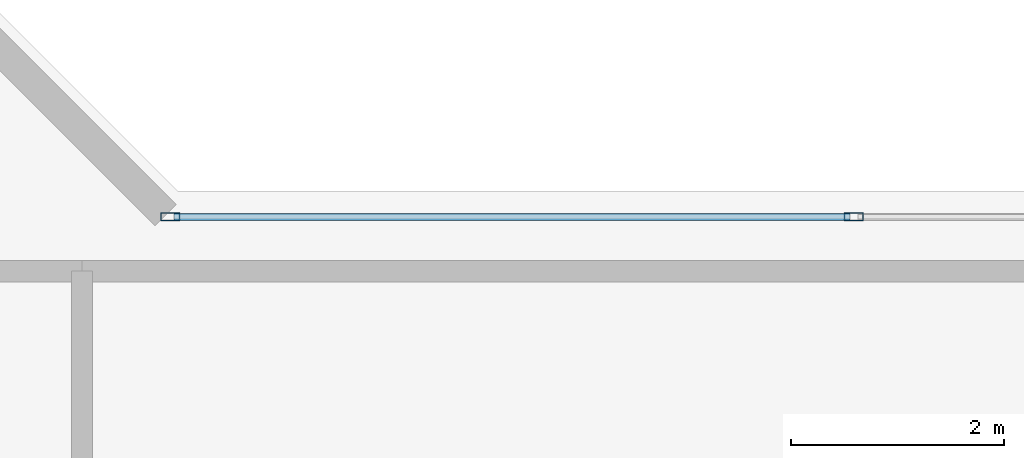
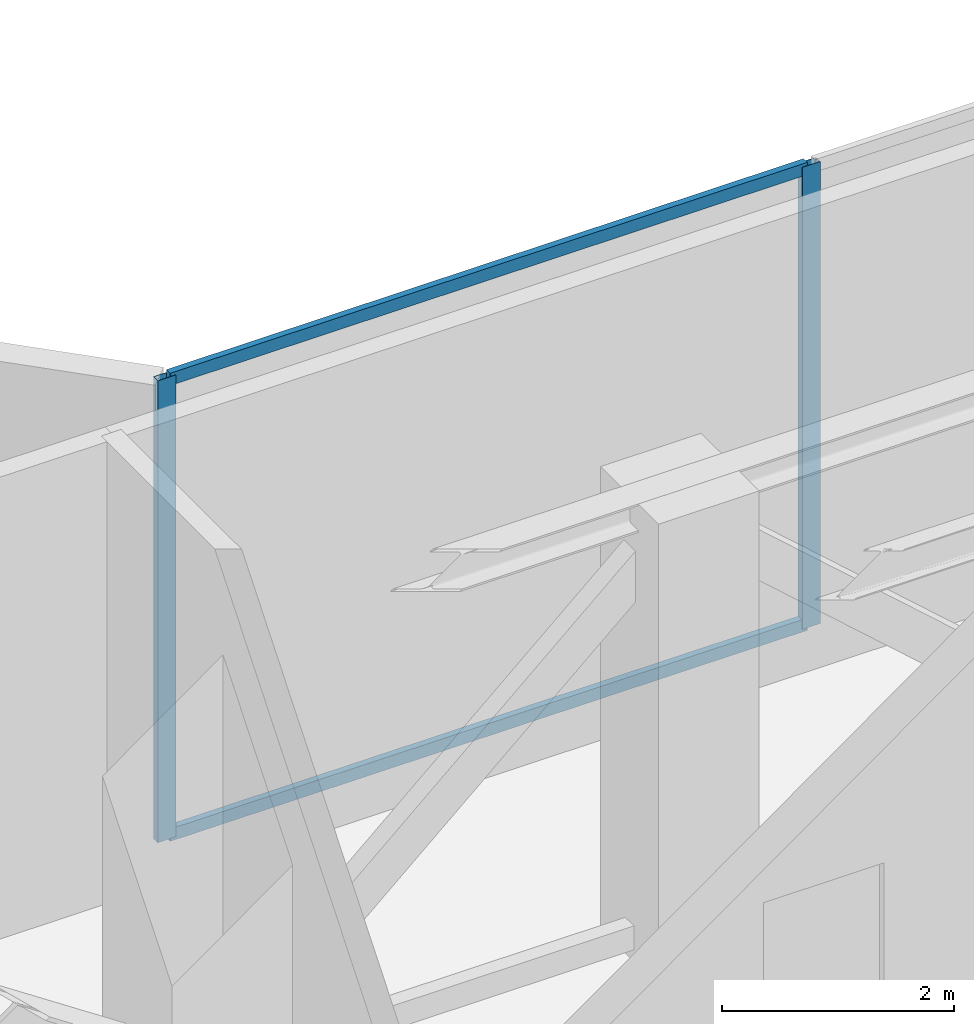
# One storey, part 13 of 36: 4 members, 1 element without a shape of its own.
"""IFC4 building model written with IfcOpenShell, lengths in metres."""

from ifc_helpers import new_model, si_unit, direction, frame, origin, origin_with_axes, origin_2d, place, context, subcontext, project, spatial, hollow_rectangle, extrude, source, transform, mapped, material, layer, layer_set, material_profile, profile_set, type_object, element, aggregate, save


model = new_model("IFC4")

# Units and contexts
model_context = context("Model", 3, precision=1e-05, world=origin(), true_north=direction((0.0, 1.0)))
body_context = subcontext(model_context, "Body", "Model", "MODEL_VIEW")
ifc_project = project(units=[si_unit("LENGTHUNIT", "METRE"), si_unit("AREAUNIT", "SQUARE_METRE"), si_unit("VOLUMEUNIT", "CUBIC_METRE"), si_unit("PLANEANGLEUNIT", "RADIAN"), si_unit("MASSUNIT", "GRAM", prefix="KILO")], contexts=[model_context])

# Site, building, storey
site_placement = place(None, origin())
site = spatial("IfcSite", under=ifc_project, at=site_placement, CompositionType="ELEMENT")
building_placement = place(site_placement, origin())
building = spatial("IfcBuilding", under=site, at=building_placement, Name="Kolvaren Waterfront Exchange", CompositionType="ELEMENT")
storey_placement = place(building_placement, frame((0.0, 0.0, 199.39990234375)))
storey = spatial("IfcBuildingStorey", under=building, at=storey_placement, Name="L51", CompositionType="ELEMENT", Elevation=199.39990234375)

# Curtain wall, members
ifc_material_1 = material(Name="Anodised dark bronze spandrel aluminium", Category="aluminium")
ifc_layer = layer(ifc_material_1, 0.219970703125, Name="Anodised dark bronze spandrel aluminium")
ifc_layer_set = layer_set([ifc_layer], Name="Anodised dark bronze spandrel aluminium")
curtain_wall_type = type_object("IfcCurtainWallType", Name="ARC-CW-SYS6", PredefinedType="USERDEFINED", material=ifc_layer_set)
curtain_wall_placement = place(storey_placement, origin())
curtain_wall = element("IfcCurtainWall", 1, at=curtain_wall_placement, inside=storey, type_object=curtain_wall_type, Name="L51 stick curtain wall CW6 (CW-L51-EN)", ObjectType="STICK CURTAIN WALL", PredefinedType="USERDEFINED")
ifc_material_2 = material(Name="Anodised bronze aluminium 6063-T6", Category="aluminium")
ifc_material_profile_1 = material_profile(ifc_material_2, hollow_rectangle(XDim=0.074951171875, YDim=0.179931640625, WallThickness=0.00439453125, at=origin_2d()), Name="ALU-MUL-180x75x4.5")
ifc_profile_set_1 = profile_set([ifc_material_profile_1], Name="Anodised bronze aluminium 6063-T6")
member_type_1 = type_object("IfcMemberType", Name="ARC-CWM-180", PredefinedType="MULLION", material=ifc_profile_set_1)
shared_shape_1 = source(origin_with_axes(), body_context, "Body", "SweptSolid", [
    extrude(hollow_rectangle(XDim=0.074951171875, YDim=0.179931640625, WallThickness=0.00439453125, at=origin_2d()), origin(), (0.0, 0.0, 1.0), 4.860107421875),
])
member_1_placement = place(storey_placement, frame((28.927490234375, 20.9599609375, 0.0), z_axis=(0.0, 0.0, 1.0), x_axis=(0.0, 1.0, 0.0)))
member_1 = element("IfcMember", 2, at=member_1_placement, type_object=member_type_1, Name="CW6 mullion 1", PredefinedType="MULLION", context=body_context, shape_type="MappedRepresentation", body=[
    mapped(shared_shape_1, transform((0.0, 0.0, 0.0), x_axis=(1.0, 0.0, 0.0), y_axis=(0.0, 1.0, 0.0), z_axis=(0.0, 0.0, 1.0), scale=1.0)),
])
member_2_placement = place(storey_placement, frame((35.342529296875, 20.9599609375, 0.0), z_axis=(0.0, 0.0, 1.0), x_axis=(0.0, 1.0, 0.0)))
member_2 = element("IfcMember", 3, at=member_2_placement, type_object=member_type_1, Name="CW6 mullion 2", PredefinedType="MULLION", context=body_context, shape_type="MappedRepresentation", body=[
    mapped(shared_shape_1, transform((0.0, 0.0, 0.0), x_axis=(1.0, 0.0, 0.0), y_axis=(0.0, 1.0, 0.0), z_axis=(0.0, 0.0, 1.0), scale=1.0)),
])
ifc_material_profile_2 = material_profile(ifc_material_2, hollow_rectangle(XDim=0.06494140625, YDim=0.1298828125, WallThickness=0.00390625, at=origin_2d()), Name="ALU-TRN-130x65x4")
ifc_profile_set_2 = profile_set([ifc_material_profile_2], Name="Anodised bronze aluminium 6063-T6")
member_type_2 = type_object("IfcMemberType", Name="ARC-CWT-130", PredefinedType="USERDEFINED", material=ifc_profile_set_2)
shared_shape_2 = source(origin_with_axes(), body_context, "Body", "SweptSolid", [
    extrude(hollow_rectangle(XDim=0.06494140625, YDim=0.1298828125, WallThickness=0.00390625, at=origin_2d()), origin(), (0.0, 0.0, 1.0), 6.33984375),
])
member_3_placement = place(storey_placement, frame((28.965087890625, 20.9599609375, 0.03271484375), z_axis=(1.0, 0.0, 0.0), x_axis=(0.0, 1.0, 0.0)))
member_3 = element("IfcMember", 4, at=member_3_placement, type_object=member_type_2, Name="CW6 transom 1.1", ObjectType="TRANSOM", PredefinedType="USERDEFINED", context=body_context, shape_type="MappedRepresentation", body=[
    mapped(shared_shape_2, transform((0.0, 0.0, 0.0), x_axis=(1.0, 0.0, 0.0), y_axis=(0.0, 1.0, 0.0), z_axis=(0.0, 0.0, 1.0), scale=1.0)),
])
member_4_placement = place(storey_placement, frame((28.965087890625, 20.9599609375, 4.82763671875), z_axis=(1.0, 0.0, 0.0), x_axis=(0.0, 1.0, 0.0)))
member_4 = element("IfcMember", 5, at=member_4_placement, type_object=member_type_2, Name="CW6 transom 1.2", ObjectType="TRANSOM", PredefinedType="USERDEFINED", context=body_context, shape_type="MappedRepresentation", body=[
    mapped(shared_shape_2, transform((0.0, 0.0, 0.0), x_axis=(1.0, 0.0, 0.0), y_axis=(0.0, 1.0, 0.0), z_axis=(0.0, 0.0, 1.0), scale=1.0)),
])
aggregate(curtain_wall, [member_1, member_2, member_3, member_4])

save(model, "model.ifc")
